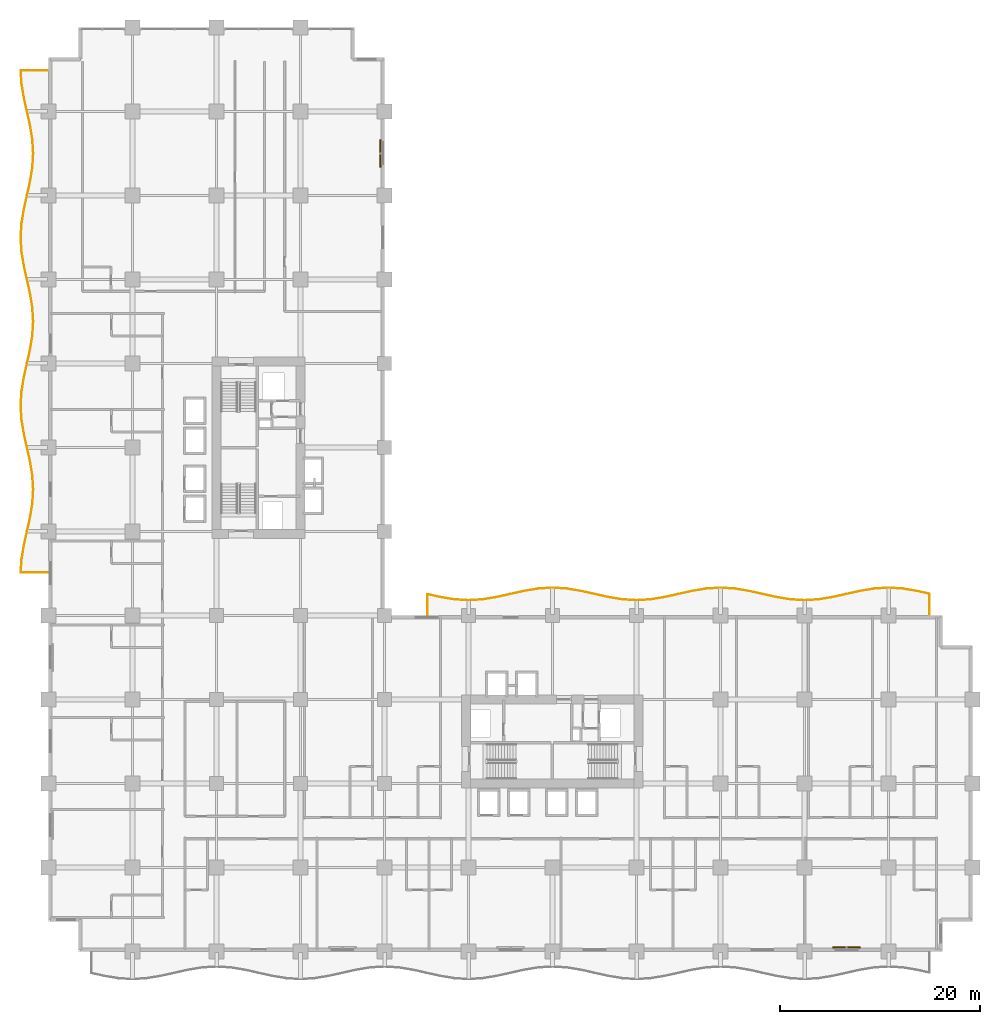
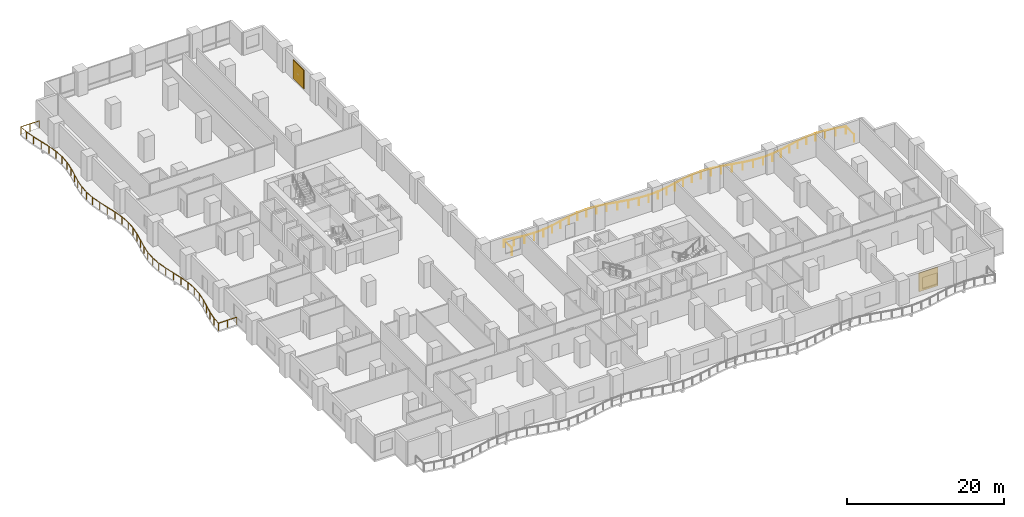
# One storey, part 24 of 24: 2 railings, 2 shading devices.
"""IFC4 building model written with IfcOpenShell, lengths in metres."""

from ifc_helpers import new_model, si_unit, direction, frame, origin, origin_2d, place, context, subcontext, project, spatial, rectangle, circle, extrude, material, layer, layer_set, type_object, element, save


model = new_model("IFC4")

# Units and contexts
model_context = context("Model", 3, precision=1e-05, world=origin(), true_north=direction((0.0, 1.0)))
body_context = subcontext(model_context, "Body", "Model", "MODEL_VIEW")
ifc_project = project(units=[si_unit("LENGTHUNIT", "METRE"), si_unit("AREAUNIT", "SQUARE_METRE"), si_unit("VOLUMEUNIT", "CUBIC_METRE"), si_unit("PLANEANGLEUNIT", "RADIAN"), si_unit("MASSUNIT", "GRAM", prefix="KILO")], contexts=[model_context])

# Site, building, storey
site_placement = place(None, origin())
site = spatial("IfcSite", under=ifc_project, at=site_placement, CompositionType="ELEMENT")
building_placement = place(site_placement, origin())
building = spatial("IfcBuilding", under=site, at=building_placement, Name="Koriwani Terraces Tower", CompositionType="ELEMENT")
storey_placement = place(building_placement, frame((0.0, 0.0, 47.199951171875)))
storey = spatial("IfcBuildingStorey", under=building, at=storey_placement, Name="L10", CompositionType="ELEMENT", Elevation=47.199951171875)

# Railings
ifc_material_1 = material(Name="Steel ASTM A572 Grade 50", Category="steel")
railing_type = type_object("IfcRailingType", Name="GUARD_BALUSTRADE_1150", PredefinedType="BALUSTRADE", material=ifc_material_1)
railing_1_placement = place(storey_placement, frame((-0.080078125, 37.8798828125, 0.0)))
element("IfcRailing", 1, at=railing_1_placement, inside=storey, type_object=railing_type, Name="L10 Balcony Perimeter Safety Balustrade (W)", PredefinedType="BALUSTRADE", context=body_context, shape_type="SweptSolid", body=[
    extrude(circle(Radius=0.02392578125, at=origin_2d()), frame((0.0, 0.0, 1.1259765625), z_axis=(-1.0, 0.0, 0.0), x_axis=(0.0, -1.0, 0.0)), (0.0, 0.0, 1.0), 2.68505859375),
    extrude(circle(Radius=0.02392578125, at=origin_2d()), frame((-2.68505859375, 0.0, 1.1259765625), z_axis=(0.059658953766, 0.998218818314, 0.0), x_axis=(-0.998218818314, 0.059658953766, 0.0)), (0.0, 0.0, 1.0), 1.313720703125),
    extrude(circle(Radius=0.02392578125, at=origin_2d()), frame((-2.606689453125, 1.311279296875, 1.1259765625), z_axis=(0.16131405304, 0.986903124066, 0.0), x_axis=(-0.986903124066, 0.16131405304, 0.0)), (0.0, 0.0, 1.0), 1.412109375),
    extrude(circle(Radius=0.02392578125, at=origin_2d()), frame((-2.37890625, 2.704833984375, 1.1259765625), z_axis=(0.217849413893, 0.975982393728, 0.0), x_axis=(-0.975982393728, 0.217849413893, 0.0)), (0.0, 0.0, 1.0), 2.868896484375),
    extrude(circle(Radius=0.02392578125, at=origin_2d()), frame((-1.75390625, 5.5048828125, 1.1259765625), z_axis=(0.161203411159, 0.986921202645, 0.0), x_axis=(-0.986921202645, 0.161203411159, 0.0)), (0.0, 0.0, 1.0), 1.425048828125),
    extrude(circle(Radius=0.02392578125, at=origin_2d()), frame((-1.524169921875, 6.911376953125, 1.1259765625), z_axis=(0.059685432622, 0.998217235442, 0.0), x_axis=(-0.998217235442, 0.059685432622, 0.0)), (0.0, 0.0, 1.0), 1.4111328125),
    extrude(circle(Radius=0.02392578125, at=origin_2d()), frame((-1.43994140625, 8.320068359375, 1.1259765625), z_axis=(-0.059675127152, 0.998217851573, 0.0), x_axis=(-0.998217851573, -0.059675127152, 0.0)), (0.0, 0.0, 1.0), 1.411376953125),
    extrude(circle(Radius=0.02392578125, at=origin_2d()), frame((-1.524169921875, 9.72900390625, 1.1259765625), z_axis=(-0.161230670401, 0.986916749742, 0.0), x_axis=(-0.986916749742, -0.161230670401, 0.0)), (0.0, 0.0, 1.0), 1.4248046875),
    extrude(circle(Radius=0.02392578125, at=origin_2d()), frame((-1.75390625, 11.13525390625, 1.1259765625), z_axis=(-0.217849413893, 0.975982393728, 0.0), x_axis=(-0.975982393728, -0.217849413893, 0.0)), (0.0, 0.0, 1.0), 2.868896484375),
    extrude(circle(Radius=0.02392578125, at=origin_2d()), frame((-2.37890625, 13.935302734375, 1.1259765625), z_axis=(-0.161286532042, 0.986907622111, 0.0), x_axis=(-0.986907622111, -0.161286532042, 0.0)), (0.0, 0.0, 1.0), 1.412353515625),
    extrude(circle(Radius=0.02392578125, at=origin_2d()), frame((-2.606689453125, 15.3291015625, 1.1259765625), z_axis=(-0.059738678687, 0.998214050326, 0.0), x_axis=(-0.998214050326, -0.059738678687, 0.0)), (0.0, 0.0, 1.0), 1.3935546875),
    extrude(circle(Radius=0.02392578125, at=origin_2d()), frame((-2.68994140625, 16.72021484375, 1.1259765625), z_axis=(0.059738678687, 0.998214050326, 0.0), x_axis=(-0.998214050326, 0.059738678687, 0.0)), (0.0, 0.0, 1.0), 1.3935546875),
    extrude(circle(Radius=0.02392578125, at=origin_2d()), frame((-2.606689453125, 18.111328125, 1.1259765625), z_axis=(0.16131405304, 0.986903124066, 0.0), x_axis=(-0.986903124066, 0.16131405304, 0.0)), (0.0, 0.0, 1.0), 1.412109375),
    extrude(circle(Radius=0.02392578125, at=origin_2d()), frame((-2.37890625, 19.5048828125, 1.1259765625), z_axis=(0.217849413893, 0.975982393728, 0.0), x_axis=(-0.975982393728, 0.217849413893, 0.0)), (0.0, 0.0, 1.0), 2.868896484375),
    extrude(circle(Radius=0.02392578125, at=origin_2d()), frame((-1.75390625, 22.304931640625, 1.1259765625), z_axis=(0.161203411159, 0.986921202645, 0.0), x_axis=(-0.986921202645, 0.161203411159, 0.0)), (0.0, 0.0, 1.0), 1.425048828125),
    extrude(circle(Radius=0.02392578125, at=origin_2d()), frame((-1.524169921875, 23.71142578125, 1.1259765625), z_axis=(0.059685432622, 0.998217235442, 0.0), x_axis=(-0.998217235442, 0.059685432622, 0.0)), (0.0, 0.0, 1.0), 1.4111328125),
    extrude(circle(Radius=0.02392578125, at=origin_2d()), frame((-1.43994140625, 25.1201171875, 1.1259765625), z_axis=(-0.059685432622, 0.998217235442, 0.0), x_axis=(-0.998217235442, -0.059685432622, 0.0)), (0.0, 0.0, 1.0), 1.4111328125),
    extrude(circle(Radius=0.02392578125, at=origin_2d()), frame((-1.524169921875, 26.52880859375, 1.1259765625), z_axis=(-0.161203411159, 0.986921202645, 0.0), x_axis=(-0.986921202645, -0.161203411159, 0.0)), (0.0, 0.0, 1.0), 1.425048828125),
    extrude(circle(Radius=0.02392578125, at=origin_2d()), frame((-1.75390625, 27.935302734375, 1.1259765625), z_axis=(-0.217849413893, 0.975982393728, 0.0), x_axis=(-0.975982393728, -0.217849413893, 0.0)), (0.0, 0.0, 1.0), 2.868896484375),
    extrude(circle(Radius=0.02392578125, at=origin_2d()), frame((-2.37890625, 30.7353515625, 1.1259765625), z_axis=(-0.16131405304, 0.986903124066, 0.0), x_axis=(-0.986903124066, -0.16131405304, 0.0)), (0.0, 0.0, 1.0), 1.412109375),
    extrude(circle(Radius=0.02392578125, at=origin_2d()), frame((-2.606689453125, 32.12890625, 1.1259765625), z_axis=(-0.059738678687, 0.998214050326, 0.0), x_axis=(-0.998214050326, -0.059738678687, 0.0)), (0.0, 0.0, 1.0), 1.3935546875),
    extrude(circle(Radius=0.02392578125, at=origin_2d()), frame((-2.68994140625, 33.52001953125, 1.1259765625), z_axis=(0.059738678687, 0.998214050326, 0.0), x_axis=(-0.998214050326, 0.059738678687, 0.0)), (0.0, 0.0, 1.0), 1.3935546875),
    extrude(circle(Radius=0.02392578125, at=origin_2d()), frame((-2.606689453125, 34.9111328125, 1.1259765625), z_axis=(0.161286532042, 0.986907622111, 0.0), x_axis=(-0.986907622111, 0.161286532042, 0.0)), (0.0, 0.0, 1.0), 1.412353515625),
    extrude(circle(Radius=0.02392578125, at=origin_2d()), frame((-2.37890625, 36.304931640625, 1.1259765625), z_axis=(0.217849413893, 0.975982393728, 0.0), x_axis=(-0.975982393728, 0.217849413893, 0.0)), (0.0, 0.0, 1.0), 2.868896484375),
    extrude(circle(Radius=0.02392578125, at=origin_2d()), frame((-1.75390625, 39.10498046875, 1.1259765625), z_axis=(0.161230670401, 0.986916749742, 0.0), x_axis=(-0.986916749742, 0.161230670401, 0.0)), (0.0, 0.0, 1.0), 1.4248046875),
    extrude(circle(Radius=0.02392578125, at=origin_2d()), frame((-1.524169921875, 40.51123046875, 1.1259765625), z_axis=(0.059675127152, 0.998217851573, 0.0), x_axis=(-0.998217851573, 0.059675127152, 0.0)), (0.0, 0.0, 1.0), 1.411376953125),
    extrude(circle(Radius=0.02392578125, at=origin_2d()), frame((-1.43994140625, 41.920166015625, 1.1259765625), z_axis=(-0.059685432622, 0.998217235442, 0.0), x_axis=(-0.998217235442, -0.059685432622, 0.0)), (0.0, 0.0, 1.0), 1.4111328125),
    extrude(circle(Radius=0.02392578125, at=origin_2d()), frame((-1.524169921875, 43.328857421875, 1.1259765625), z_axis=(-0.161203411159, 0.986921202645, 0.0), x_axis=(-0.986921202645, -0.161203411159, 0.0)), (0.0, 0.0, 1.0), 1.425048828125),
    extrude(circle(Radius=0.02392578125, at=origin_2d()), frame((-1.75390625, 44.7353515625, 1.1259765625), z_axis=(-0.217849413893, 0.975982393728, 0.0), x_axis=(-0.975982393728, -0.217849413893, 0.0)), (0.0, 0.0, 1.0), 2.868896484375),
    extrude(circle(Radius=0.02392578125, at=origin_2d()), frame((-2.37890625, 47.535400390625, 1.1259765625), z_axis=(-0.16131405304, 0.986903124066, 0.0), x_axis=(-0.986903124066, -0.16131405304, 0.0)), (0.0, 0.0, 1.0), 1.412109375),
    extrude(circle(Radius=0.02392578125, at=origin_2d()), frame((-2.606689453125, 48.928955078125, 1.1259765625), z_axis=(-0.059658953766, 0.998218818314, 0.0), x_axis=(-0.998218818314, -0.059658953766, 0.0)), (0.0, 0.0, 1.0), 1.313720703125),
    extrude(circle(Radius=0.02392578125, at=origin_2d()), frame((-2.68505859375, 50.240234375, 1.1259765625), z_axis=(1.0, 0.0, 0.0), x_axis=(0.0, 1.0, 0.0)), (0.0, 0.0, 1.0), 2.68505859375),
    extrude(circle(Radius=0.02099609375, at=origin_2d()), origin(), (0.0, 0.0, 1.0), 1.101806640625),
    extrude(circle(Radius=0.02099609375, at=origin_2d()), frame((-1.342529296875, 0.0, 0.0)), (0.0, 0.0, 1.0), 1.101806640625),
    extrude(circle(Radius=0.02099609375, at=origin_2d()), frame((-2.68505859375, 0.0, 0.0)), (0.0, 0.0, 1.0), 1.101806640625),
    extrude(circle(Radius=0.02099609375, at=origin_2d()), frame((-2.606689453125, 1.311279296875, 0.0)), (0.0, 0.0, 1.0), 1.101806640625),
    extrude(circle(Radius=0.02099609375, at=origin_2d()), frame((-2.37890625, 2.704833984375, 0.0)), (0.0, 0.0, 1.0), 1.101806640625),
    extrude(circle(Radius=0.02099609375, at=origin_2d()), frame((-2.06640625, 4.10498046875, 0.0)), (0.0, 0.0, 1.0), 1.101806640625),
    extrude(circle(Radius=0.02099609375, at=origin_2d()), frame((-1.75390625, 5.5048828125, 0.0)), (0.0, 0.0, 1.0), 1.101806640625),
    extrude(circle(Radius=0.02099609375, at=origin_2d()), frame((-1.524169921875, 6.911376953125, 0.0)), (0.0, 0.0, 1.0), 1.101806640625),
    extrude(circle(Radius=0.02099609375, at=origin_2d()), frame((-1.43994140625, 8.320068359375, 0.0)), (0.0, 0.0, 1.0), 1.101806640625),
    extrude(circle(Radius=0.02099609375, at=origin_2d()), frame((-1.524169921875, 9.72900390625, 0.0)), (0.0, 0.0, 1.0), 1.101806640625),
    extrude(circle(Radius=0.02099609375, at=origin_2d()), frame((-1.75390625, 11.13525390625, 0.0)), (0.0, 0.0, 1.0), 1.101806640625),
    extrude(circle(Radius=0.02099609375, at=origin_2d()), frame((-2.06640625, 12.53515625, 0.0)), (0.0, 0.0, 1.0), 1.101806640625),
    extrude(circle(Radius=0.02099609375, at=origin_2d()), frame((-2.37890625, 13.935302734375, 0.0)), (0.0, 0.0, 1.0), 1.101806640625),
    extrude(circle(Radius=0.02099609375, at=origin_2d()), frame((-2.606689453125, 15.3291015625, 0.0)), (0.0, 0.0, 1.0), 1.101806640625),
    extrude(circle(Radius=0.02099609375, at=origin_2d()), frame((-2.68994140625, 16.72021484375, 0.0)), (0.0, 0.0, 1.0), 1.101806640625),
    extrude(circle(Radius=0.02099609375, at=origin_2d()), frame((-2.606689453125, 18.111328125, 0.0)), (0.0, 0.0, 1.0), 1.101806640625),
    extrude(circle(Radius=0.02099609375, at=origin_2d()), frame((-2.37890625, 19.5048828125, 0.0)), (0.0, 0.0, 1.0), 1.101806640625),
    extrude(circle(Radius=0.02099609375, at=origin_2d()), frame((-2.06640625, 20.90478515625, 0.0)), (0.0, 0.0, 1.0), 1.101806640625),
    extrude(circle(Radius=0.02099609375, at=origin_2d()), frame((-1.75390625, 22.304931640625, 0.0)), (0.0, 0.0, 1.0), 1.101806640625),
    extrude(circle(Radius=0.02099609375, at=origin_2d()), frame((-1.524169921875, 23.71142578125, 0.0)), (0.0, 0.0, 1.0), 1.101806640625),
    extrude(circle(Radius=0.02099609375, at=origin_2d()), frame((-1.43994140625, 25.1201171875, 0.0)), (0.0, 0.0, 1.0), 1.101806640625),
    extrude(circle(Radius=0.02099609375, at=origin_2d()), frame((-1.524169921875, 26.52880859375, 0.0)), (0.0, 0.0, 1.0), 1.101806640625),
    extrude(circle(Radius=0.02099609375, at=origin_2d()), frame((-1.75390625, 27.935302734375, 0.0)), (0.0, 0.0, 1.0), 1.101806640625),
    extrude(circle(Radius=0.02099609375, at=origin_2d()), frame((-2.06640625, 29.33544921875, 0.0)), (0.0, 0.0, 1.0), 1.101806640625),
    extrude(circle(Radius=0.02099609375, at=origin_2d()), frame((-2.37890625, 30.7353515625, 0.0)), (0.0, 0.0, 1.0), 1.101806640625),
    extrude(circle(Radius=0.02099609375, at=origin_2d()), frame((-2.606689453125, 32.12890625, 0.0)), (0.0, 0.0, 1.0), 1.101806640625),
    extrude(circle(Radius=0.02099609375, at=origin_2d()), frame((-2.68994140625, 33.52001953125, 0.0)), (0.0, 0.0, 1.0), 1.101806640625),
    extrude(circle(Radius=0.02099609375, at=origin_2d()), frame((-2.606689453125, 34.9111328125, 0.0)), (0.0, 0.0, 1.0), 1.101806640625),
    extrude(circle(Radius=0.02099609375, at=origin_2d()), frame((-2.37890625, 36.304931640625, 0.0)), (0.0, 0.0, 1.0), 1.101806640625),
    extrude(circle(Radius=0.02099609375, at=origin_2d()), frame((-2.06640625, 37.705078125, 0.0)), (0.0, 0.0, 1.0), 1.101806640625),
    extrude(circle(Radius=0.02099609375, at=origin_2d()), frame((-1.75390625, 39.10498046875, 0.0)), (0.0, 0.0, 1.0), 1.101806640625),
    extrude(circle(Radius=0.02099609375, at=origin_2d()), frame((-1.524169921875, 40.51123046875, 0.0)), (0.0, 0.0, 1.0), 1.101806640625),
    extrude(circle(Radius=0.02099609375, at=origin_2d()), frame((-1.43994140625, 41.920166015625, 0.0)), (0.0, 0.0, 1.0), 1.101806640625),
    extrude(circle(Radius=0.02099609375, at=origin_2d()), frame((-1.524169921875, 43.328857421875, 0.0)), (0.0, 0.0, 1.0), 1.101806640625),
    extrude(circle(Radius=0.02099609375, at=origin_2d()), frame((-1.75390625, 44.7353515625, 0.0)), (0.0, 0.0, 1.0), 1.101806640625),
    extrude(circle(Radius=0.02099609375, at=origin_2d()), frame((-2.06640625, 46.13525390625, 0.0)), (0.0, 0.0, 1.0), 1.101806640625),
    extrude(circle(Radius=0.02099609375, at=origin_2d()), frame((-2.37890625, 47.535400390625, 0.0)), (0.0, 0.0, 1.0), 1.101806640625),
    extrude(circle(Radius=0.02099609375, at=origin_2d()), frame((-2.606689453125, 48.928955078125, 0.0)), (0.0, 0.0, 1.0), 1.101806640625),
    extrude(circle(Radius=0.02099609375, at=origin_2d()), frame((-2.68505859375, 50.240234375, 0.0)), (0.0, 0.0, 1.0), 1.101806640625),
    extrude(circle(Radius=0.02099609375, at=origin_2d()), frame((-1.342529296875, 50.240234375, 0.0)), (0.0, 0.0, 1.0), 1.101806640625),
    extrude(circle(Radius=0.02099609375, at=origin_2d()), frame((0.0, 50.240234375, 0.0)), (0.0, 0.0, 1.0), 1.101806640625),
])
railing_2_placement = place(storey_placement, frame((88.1201171875, 33.679931640625, 0.0)))
element("IfcRailing", 2, at=railing_2_placement, inside=storey, type_object=railing_type, Name="L10 Balcony Perimeter Safety Balustrade (NE)", PredefinedType="BALUSTRADE", context=body_context, shape_type="SweptSolid", body=[
    extrude(circle(Radius=0.02392578125, at=origin_2d()), frame((0.0, 0.0, 1.1259765625), z_axis=(0.0, 1.0, 0.0), x_axis=(-1.0, 0.0, 0.0)), (0.0, 0.0, 1.0), 2.0810546875),
    extrude(circle(Radius=0.02392578125, at=origin_2d()), frame((0.0, 2.0810546875, 1.1259765625), z_axis=(-0.976010374822, 0.217724018519, 0.0), x_axis=(-0.217724018519, -0.976010374822, 0.0)), (0.0, 0.0, 1.0), 1.367919921875),
    extrude(circle(Radius=0.02392578125, at=origin_2d()), frame((-1.335205078125, 2.37890625, 1.1259765625), z_axis=(-0.986907622111, 0.161286532042, 0.0), x_axis=(-0.161286532042, -0.986907622111, 0.0)), (0.0, 0.0, 1.0), 1.412353515625),
    extrude(circle(Radius=0.02392578125, at=origin_2d()), frame((-2.72900390625, 2.606689453125, 1.1259765625), z_axis=(-0.998214050326, 0.059738678687, 0.0), x_axis=(-0.059738678687, -0.998214050326, 0.0)), (0.0, 0.0, 1.0), 1.3935546875),
    extrude(circle(Radius=0.02392578125, at=origin_2d()), frame((-4.1201171875, 2.68994140625, 1.1259765625), z_axis=(-0.998214050326, -0.059738678687, 0.0), x_axis=(0.059738678687, -0.998214050326, 0.0)), (0.0, 0.0, 1.0), 1.3935546875),
    extrude(circle(Radius=0.02392578125, at=origin_2d()), frame((-5.51123046875, 2.606689453125, 1.1259765625), z_axis=(-0.986907622111, -0.161286532042, 0.0), x_axis=(0.161286532042, -0.986907622111, 0.0)), (0.0, 0.0, 1.0), 1.412353515625),
    extrude(circle(Radius=0.02392578125, at=origin_2d()), frame((-6.905029296875, 2.37890625, 1.1259765625), z_axis=(-0.975996447715, -0.217786441376, 0.0), x_axis=(0.217786441376, -0.975996447715, 0.0)), (0.0, 0.0, 1.0), 2.86865234375),
    extrude(circle(Radius=0.02392578125, at=origin_2d()), frame((-9.704833984375, 1.754150390625, 1.1259765625), z_axis=(-0.986921202645, -0.161203411159, 0.0), x_axis=(0.161203411159, -0.986921202645, 0.0)), (0.0, 0.0, 1.0), 1.425048828125),
    extrude(circle(Radius=0.02392578125, at=origin_2d()), frame((-11.111328125, 1.5244140625, 1.1259765625), z_axis=(-0.998217235442, -0.059685432622, 0.0), x_axis=(0.059685432622, -0.998217235442, 0.0)), (0.0, 0.0, 1.0), 1.4111328125),
    extrude(circle(Radius=0.02392578125, at=origin_2d()), frame((-12.52001953125, 1.440185546875, 1.1259765625), z_axis=(-0.998217851573, 0.059675127152, 0.0), x_axis=(-0.059675127152, -0.998217851573, 0.0)), (0.0, 0.0, 1.0), 1.411376953125),
    extrude(circle(Radius=0.02392578125, at=origin_2d()), frame((-13.928955078125, 1.5244140625, 1.1259765625), z_axis=(-0.986916749742, 0.161230670401, 0.0), x_axis=(-0.161230670401, -0.986916749742, 0.0)), (0.0, 0.0, 1.0), 1.4248046875),
    extrude(circle(Radius=0.02392578125, at=origin_2d()), frame((-15.335205078125, 1.754150390625, 1.1259765625), z_axis=(-0.976000483873, 0.217768352797, 0.0), x_axis=(-0.217768352797, -0.976000483873, 0.0)), (0.0, 0.0, 1.0), 2.868896484375),
    extrude(circle(Radius=0.02392578125, at=origin_2d()), frame((-18.13525390625, 2.37890625, 1.1259765625), z_axis=(-0.986907622111, 0.161286532042, 0.0), x_axis=(-0.161286532042, -0.986907622111, 0.0)), (0.0, 0.0, 1.0), 1.412353515625),
    extrude(circle(Radius=0.02392578125, at=origin_2d()), frame((-19.529052734375, 2.606689453125, 1.1259765625), z_axis=(-0.998214050326, 0.059738678687, 0.0), x_axis=(-0.059738678687, -0.998214050326, 0.0)), (0.0, 0.0, 1.0), 1.3935546875),
    extrude(circle(Radius=0.02392578125, at=origin_2d()), frame((-20.920166015625, 2.68994140625, 1.1259765625), z_axis=(-0.998214050326, -0.059738678687, 0.0), x_axis=(0.059738678687, -0.998214050326, 0.0)), (0.0, 0.0, 1.0), 1.3935546875),
    extrude(circle(Radius=0.02392578125, at=origin_2d()), frame((-22.311279296875, 2.606689453125, 1.1259765625), z_axis=(-0.986903124066, -0.16131405304, 0.0), x_axis=(0.16131405304, -0.986903124066, 0.0)), (0.0, 0.0, 1.0), 1.412109375),
    extrude(circle(Radius=0.02392578125, at=origin_2d()), frame((-23.704833984375, 2.37890625, 1.1259765625), z_axis=(-0.976000483873, -0.217768352797, 0.0), x_axis=(0.217768352797, -0.976000483873, 0.0)), (0.0, 0.0, 1.0), 2.868896484375),
    extrude(circle(Radius=0.02392578125, at=origin_2d()), frame((-26.5048828125, 1.754150390625, 1.1259765625), z_axis=(-0.986921202645, -0.161203411159, 0.0), x_axis=(0.161203411159, -0.986921202645, 0.0)), (0.0, 0.0, 1.0), 1.425048828125),
    extrude(circle(Radius=0.02392578125, at=origin_2d()), frame((-27.911376953125, 1.5244140625, 1.1259765625), z_axis=(-0.998217235442, -0.059685432622, 0.0), x_axis=(0.059685432622, -0.998217235442, 0.0)), (0.0, 0.0, 1.0), 1.4111328125),
    extrude(circle(Radius=0.02392578125, at=origin_2d()), frame((-29.320068359375, 1.440185546875, 1.1259765625), z_axis=(-0.998217851573, 0.059675127152, 0.0), x_axis=(-0.059675127152, -0.998217851573, 0.0)), (0.0, 0.0, 1.0), 1.411376953125),
    extrude(circle(Radius=0.02392578125, at=origin_2d()), frame((-30.72900390625, 1.5244140625, 1.1259765625), z_axis=(-0.986916749742, 0.161230670401, 0.0), x_axis=(-0.161230670401, -0.986916749742, 0.0)), (0.0, 0.0, 1.0), 1.4248046875),
    extrude(circle(Radius=0.02392578125, at=origin_2d()), frame((-32.13525390625, 1.754150390625, 1.1259765625), z_axis=(-0.976000483873, 0.217768352797, 0.0), x_axis=(-0.217768352797, -0.976000483873, 0.0)), (0.0, 0.0, 1.0), 2.868896484375),
    extrude(circle(Radius=0.02392578125, at=origin_2d()), frame((-34.935302734375, 2.37890625, 1.1259765625), z_axis=(-0.986907622111, 0.161286532042, 0.0), x_axis=(-0.161286532042, -0.986907622111, 0.0)), (0.0, 0.0, 1.0), 1.412353515625),
    extrude(circle(Radius=0.02392578125, at=origin_2d()), frame((-36.3291015625, 2.606689453125, 1.1259765625), z_axis=(-0.998214050326, 0.059738678687, 0.0), x_axis=(-0.059738678687, -0.998214050326, 0.0)), (0.0, 0.0, 1.0), 1.3935546875),
    extrude(circle(Radius=0.02392578125, at=origin_2d()), frame((-37.72021484375, 2.68994140625, 1.1259765625), z_axis=(-0.998214050326, -0.059738678687, 0.0), x_axis=(0.059738678687, -0.998214050326, 0.0)), (0.0, 0.0, 1.0), 1.3935546875),
    extrude(circle(Radius=0.02392578125, at=origin_2d()), frame((-39.111328125, 2.606689453125, 1.1259765625), z_axis=(-0.986903124066, -0.16131405304, 0.0), x_axis=(0.16131405304, -0.986903124066, 0.0)), (0.0, 0.0, 1.0), 1.412109375),
    extrude(circle(Radius=0.02392578125, at=origin_2d()), frame((-40.5048828125, 2.37890625, 1.1259765625), z_axis=(-0.976000483873, -0.217768352797, 0.0), x_axis=(0.217768352797, -0.976000483873, 0.0)), (0.0, 0.0, 1.0), 2.868896484375),
    extrude(circle(Radius=0.02392578125, at=origin_2d()), frame((-43.304931640625, 1.754150390625, 1.1259765625), z_axis=(-0.986921202645, -0.161203411159, 0.0), x_axis=(0.161203411159, -0.986921202645, 0.0)), (0.0, 0.0, 1.0), 1.425048828125),
    extrude(circle(Radius=0.02392578125, at=origin_2d()), frame((-44.71142578125, 1.5244140625, 1.1259765625), z_axis=(-0.998217235442, -0.059685432622, 0.0), x_axis=(0.059685432622, -0.998217235442, 0.0)), (0.0, 0.0, 1.0), 1.4111328125),
    extrude(circle(Radius=0.02392578125, at=origin_2d()), frame((-46.1201171875, 1.440185546875, 1.1259765625), z_axis=(-0.998217235442, 0.059685432622, 0.0), x_axis=(-0.059685432622, -0.998217235442, 0.0)), (0.0, 0.0, 1.0), 1.4111328125),
    extrude(circle(Radius=0.02392578125, at=origin_2d()), frame((-47.52880859375, 1.5244140625, 1.1259765625), z_axis=(-0.986921202645, 0.161203411159, 0.0), x_axis=(-0.161203411159, -0.986921202645, 0.0)), (0.0, 0.0, 1.0), 1.425048828125),
    extrude(circle(Radius=0.02392578125, at=origin_2d()), frame((-48.935302734375, 1.754150390625, 1.1259765625), z_axis=(-0.976023513378, 0.217665112806, 0.0), x_axis=(-0.217665112806, -0.976023513378, 0.0)), (0.0, 0.0, 1.0), 1.3369140625),
    extrude(circle(Radius=0.02392578125, at=origin_2d()), frame((-50.240234375, 2.045166015625, 1.1259765625), z_axis=(0.0, -1.0, 0.0), x_axis=(1.0, 0.0, 0.0)), (0.0, 0.0, 1.0), 2.045166015625),
    extrude(circle(Radius=0.02099609375, at=origin_2d()), origin(), (0.0, 0.0, 1.0), 1.101806640625),
    extrude(circle(Radius=0.02099609375, at=origin_2d()), frame((0.0, 2.0810546875, 0.0)), (0.0, 0.0, 1.0), 1.101806640625),
    extrude(circle(Radius=0.02099609375, at=origin_2d()), frame((-1.335205078125, 2.37890625, 0.0)), (0.0, 0.0, 1.0), 1.101806640625),
    extrude(circle(Radius=0.02099609375, at=origin_2d()), frame((-2.72900390625, 2.606689453125, 0.0)), (0.0, 0.0, 1.0), 1.101806640625),
    extrude(circle(Radius=0.02099609375, at=origin_2d()), frame((-4.1201171875, 2.68994140625, 0.0)), (0.0, 0.0, 1.0), 1.101806640625),
    extrude(circle(Radius=0.02099609375, at=origin_2d()), frame((-5.51123046875, 2.606689453125, 0.0)), (0.0, 0.0, 1.0), 1.101806640625),
    extrude(circle(Radius=0.02099609375, at=origin_2d()), frame((-6.905029296875, 2.37890625, 0.0)), (0.0, 0.0, 1.0), 1.101806640625),
    extrude(circle(Radius=0.02099609375, at=origin_2d()), frame((-8.304931640625, 2.06640625, 0.0)), (0.0, 0.0, 1.0), 1.101806640625),
    extrude(circle(Radius=0.02099609375, at=origin_2d()), frame((-9.704833984375, 1.754150390625, 0.0)), (0.0, 0.0, 1.0), 1.101806640625),
    extrude(circle(Radius=0.02099609375, at=origin_2d()), frame((-11.111328125, 1.5244140625, 0.0)), (0.0, 0.0, 1.0), 1.101806640625),
    extrude(circle(Radius=0.02099609375, at=origin_2d()), frame((-12.52001953125, 1.440185546875, 0.0)), (0.0, 0.0, 1.0), 1.101806640625),
    extrude(circle(Radius=0.02099609375, at=origin_2d()), frame((-13.928955078125, 1.5244140625, 0.0)), (0.0, 0.0, 1.0), 1.101806640625),
    extrude(circle(Radius=0.02099609375, at=origin_2d()), frame((-15.335205078125, 1.754150390625, 0.0)), (0.0, 0.0, 1.0), 1.101806640625),
    extrude(circle(Radius=0.02099609375, at=origin_2d()), frame((-16.7353515625, 2.06640625, 0.0)), (0.0, 0.0, 1.0), 1.101806640625),
    extrude(circle(Radius=0.02099609375, at=origin_2d()), frame((-18.13525390625, 2.37890625, 0.0)), (0.0, 0.0, 1.0), 1.101806640625),
    extrude(circle(Radius=0.02099609375, at=origin_2d()), frame((-19.529052734375, 2.606689453125, 0.0)), (0.0, 0.0, 1.0), 1.101806640625),
    extrude(circle(Radius=0.02099609375, at=origin_2d()), frame((-20.920166015625, 2.68994140625, 0.0)), (0.0, 0.0, 1.0), 1.101806640625),
    extrude(circle(Radius=0.02099609375, at=origin_2d()), frame((-22.311279296875, 2.606689453125, 0.0)), (0.0, 0.0, 1.0), 1.101806640625),
    extrude(circle(Radius=0.02099609375, at=origin_2d()), frame((-23.704833984375, 2.37890625, 0.0)), (0.0, 0.0, 1.0), 1.101806640625),
    extrude(circle(Radius=0.02099609375, at=origin_2d()), frame((-25.10498046875, 2.06640625, 0.0)), (0.0, 0.0, 1.0), 1.101806640625),
    extrude(circle(Radius=0.02099609375, at=origin_2d()), frame((-26.5048828125, 1.754150390625, 0.0)), (0.0, 0.0, 1.0), 1.101806640625),
    extrude(circle(Radius=0.02099609375, at=origin_2d()), frame((-27.911376953125, 1.5244140625, 0.0)), (0.0, 0.0, 1.0), 1.101806640625),
    extrude(circle(Radius=0.02099609375, at=origin_2d()), frame((-29.320068359375, 1.440185546875, 0.0)), (0.0, 0.0, 1.0), 1.101806640625),
    extrude(circle(Radius=0.02099609375, at=origin_2d()), frame((-30.72900390625, 1.5244140625, 0.0)), (0.0, 0.0, 1.0), 1.101806640625),
    extrude(circle(Radius=0.02099609375, at=origin_2d()), frame((-32.13525390625, 1.754150390625, 0.0)), (0.0, 0.0, 1.0), 1.101806640625),
    extrude(circle(Radius=0.02099609375, at=origin_2d()), frame((-33.53515625, 2.06640625, 0.0)), (0.0, 0.0, 1.0), 1.101806640625),
    extrude(circle(Radius=0.02099609375, at=origin_2d()), frame((-34.935302734375, 2.37890625, 0.0)), (0.0, 0.0, 1.0), 1.101806640625),
    extrude(circle(Radius=0.02099609375, at=origin_2d()), frame((-36.3291015625, 2.606689453125, 0.0)), (0.0, 0.0, 1.0), 1.101806640625),
    extrude(circle(Radius=0.02099609375, at=origin_2d()), frame((-37.72021484375, 2.68994140625, 0.0)), (0.0, 0.0, 1.0), 1.101806640625),
    extrude(circle(Radius=0.02099609375, at=origin_2d()), frame((-39.111328125, 2.606689453125, 0.0)), (0.0, 0.0, 1.0), 1.101806640625),
    extrude(circle(Radius=0.02099609375, at=origin_2d()), frame((-40.5048828125, 2.37890625, 0.0)), (0.0, 0.0, 1.0), 1.101806640625),
    extrude(circle(Radius=0.02099609375, at=origin_2d()), frame((-41.90478515625, 2.06640625, 0.0)), (0.0, 0.0, 1.0), 1.101806640625),
    extrude(circle(Radius=0.02099609375, at=origin_2d()), frame((-43.304931640625, 1.754150390625, 0.0)), (0.0, 0.0, 1.0), 1.101806640625),
    extrude(circle(Radius=0.02099609375, at=origin_2d()), frame((-44.71142578125, 1.5244140625, 0.0)), (0.0, 0.0, 1.0), 1.101806640625),
    extrude(circle(Radius=0.02099609375, at=origin_2d()), frame((-46.1201171875, 1.440185546875, 0.0)), (0.0, 0.0, 1.0), 1.101806640625),
    extrude(circle(Radius=0.02099609375, at=origin_2d()), frame((-47.52880859375, 1.5244140625, 0.0)), (0.0, 0.0, 1.0), 1.101806640625),
    extrude(circle(Radius=0.02099609375, at=origin_2d()), frame((-48.935302734375, 1.754150390625, 0.0)), (0.0, 0.0, 1.0), 1.101806640625),
    extrude(circle(Radius=0.02099609375, at=origin_2d()), frame((-50.240234375, 2.045166015625, 0.0)), (0.0, 0.0, 1.0), 1.101806640625),
    extrude(circle(Radius=0.02099609375, at=origin_2d()), frame((-50.240234375, 0.0, 0.0)), (0.0, 0.0, 1.0), 1.101806640625),
])

# Shading devices
ifc_material_2 = material(Name="Extruded Terracotta Clay", Category="masonry")
ifc_layer = layer(ifc_material_2, 0.1201171875, Name="Extruded Terracotta Clay")
ifc_layer_set = layer_set([ifc_layer], Name="Extruded Terracotta Clay")
shading_device_type = type_object("IfcShadingDeviceType", Name="TERRACOTTA_BAGUETTE_SCREEN_2800", PredefinedType="USERDEFINED", material=ifc_layer_set)
for number, where, z_axis, x_axis, name in (
    (3, (33.195068359375, 79.800048828125, 0.3251953125), (0.0, 0.0, 1.0), (0.0, -1.0, 0.0), "L10 Extruded Terracotta Baguette Screen (NW_IN-17)"),
    (4, (79.800048828125, 0.405029296875, 0.3251953125), (0.0, 0.0, 1.0), (-1.0, 0.0, 0.0), "L10 Extruded Terracotta Baguette Screen (S-27)"),
):
    element("IfcShadingDevice", number, at=place(storey_placement, frame(where, z_axis=z_axis, x_axis=x_axis)), inside=storey, type_object=shading_device_type, Name=name, ObjectType="BAGUETTE", PredefinedType="USERDEFINED", context=body_context, shape_type="SweptSolid", body=[
        extrude(rectangle(XDim=2.760009765625, YDim=0.1201171875, at=origin_2d()), origin(), (0.0, 0.0, 1.0), 2.89990234375),
    ])

save(model, "model.ifc")
